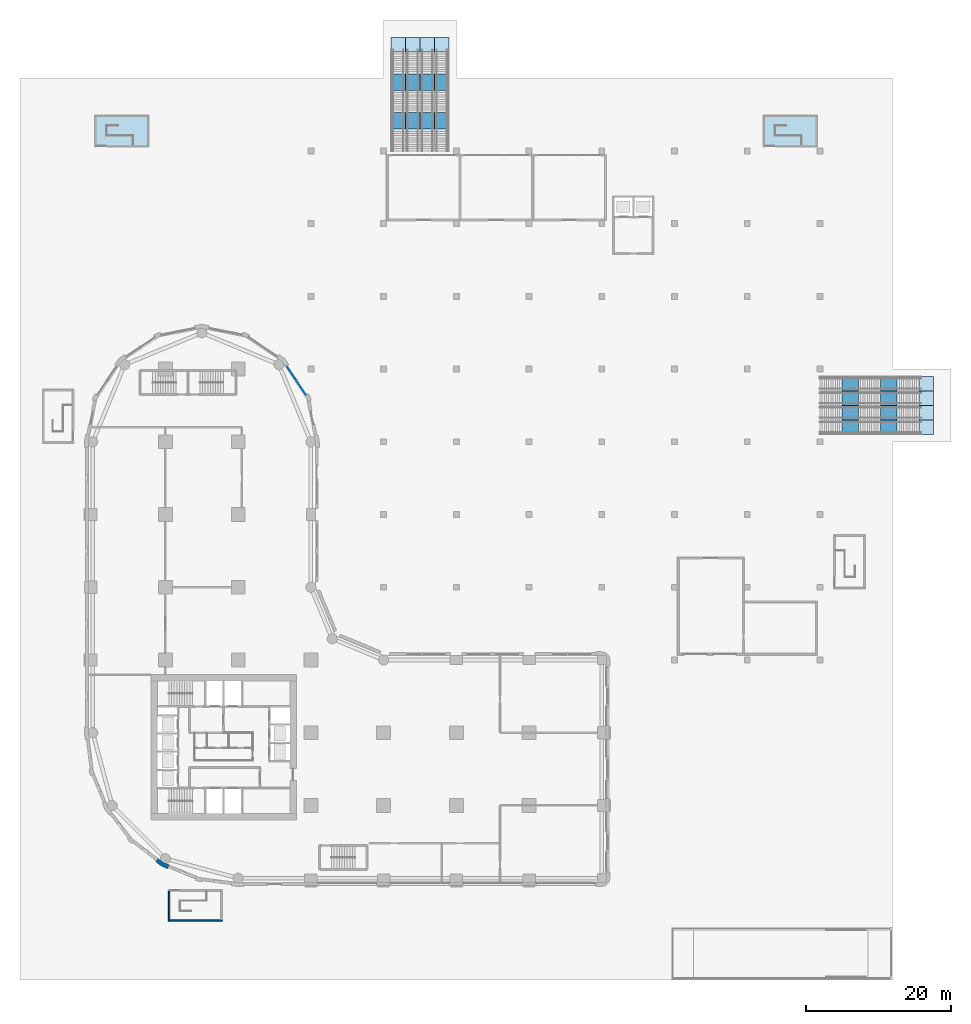
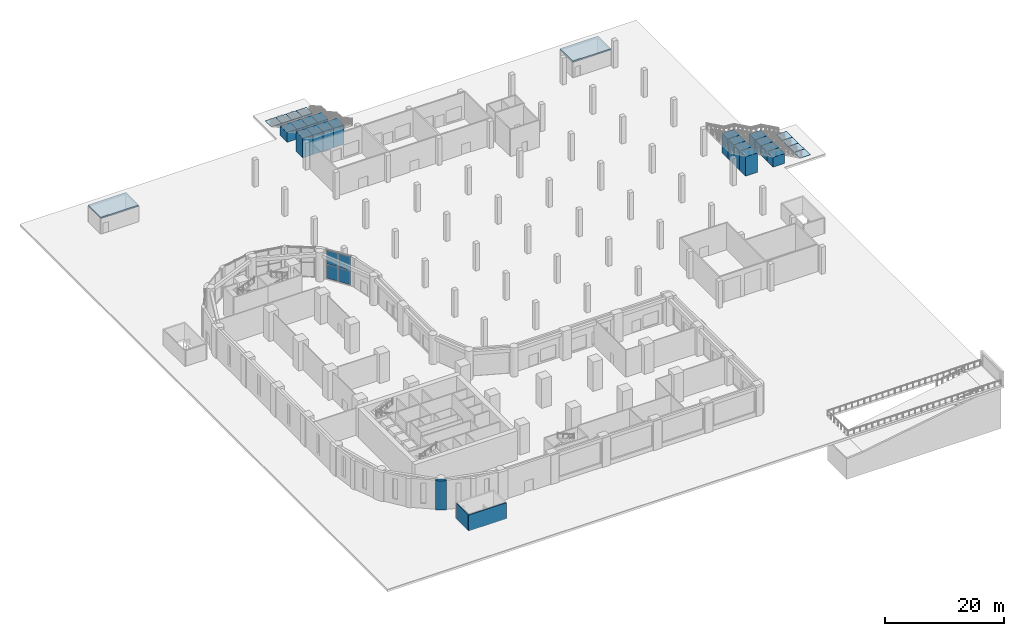
# One storey, part 6 of 21: 26 slabs, 4 plates, 3 walls, 9 elements without a shape of their own.
"""IFC4 building model written with IfcOpenShell, lengths in metres."""

from ifc_helpers import new_model, si_unit, direction, frame, frame_2d, origin, origin_2d, place, context, subcontext, project, spatial, polyline, rectangle, outline, extrude, material, layer, layer_set, type_object, element, aggregate, save


model = new_model("IFC4")

# Units and contexts
model_context = context("Model", 3, precision=1e-05, world=origin(), true_north=direction((0.0, 1.0)))
body_context = subcontext(model_context, "Body", "Model", "MODEL_VIEW")
ifc_project = project(units=[si_unit("LENGTHUNIT", "METRE"), si_unit("AREAUNIT", "SQUARE_METRE"), si_unit("VOLUMEUNIT", "CUBIC_METRE"), si_unit("PLANEANGLEUNIT", "RADIAN"), si_unit("MASSUNIT", "GRAM", prefix="KILO")], contexts=[model_context])

# Site, building, storey
site_placement = place(None, origin())
site = spatial("IfcSite", under=ifc_project, at=site_placement, CompositionType="ELEMENT")
building_placement = place(site_placement, origin())
building = spatial("IfcBuilding", under=site, at=building_placement, Name="Qaws Garden Tower", CompositionType="ELEMENT")
storey_placement = place(building_placement, origin())
storey = spatial("IfcBuildingStorey", under=building, at=storey_placement, Name="L00", CompositionType="ELEMENT", Elevation=0.0)

# Curtain wall, plates
ifc_material_1 = material(Name="Anodised aluminium curtain wall frame", Category="aluminium")
ifc_layer_1 = layer(ifc_material_1, 0.159912109375)
ifc_layer_set_1 = layer_set([ifc_layer_1], Name="Anodised aluminium curtain wall frame")
curtain_wall_type = type_object("IfcCurtainWallType", Name="CW1 street shopfront curtain wall", PredefinedType="NOTDEFINED", material=ifc_layer_set_1)
placement_1 = place(storey_placement, origin())
curtain_wall = element("IfcCurtainWall", 1, at=placement_1, inside=storey, type_object=curtain_wall_type, Name="CW1 Street shopfront 16", PredefinedType="NOTDEFINED")
ifc_material_2 = material(Name="Clear laminated glass", Category="glass")
ifc_layer_2 = layer(ifc_material_2, 0.031982421875)
ifc_layer_set_2 = layer_set([ifc_layer_2], Name="Clear laminated glass")
plate_type = type_object("IfcPlateType", Name="CW1 glass panel 32", PredefinedType="CURTAIN_PANEL", material=ifc_layer_set_2)
plate_1_placement = place(storey_placement, frame((28.688232421875, 67.4345703125, 0.1201171875), z_axis=(0.0, 0.0, 1.0), x_axis=(-0.555570233165, 0.831469612206, 0.0)))
plate_1 = element("IfcPlate", 2, at=plate_1_placement, type_object=plate_type, Name="CW1 panel 1.1", PredefinedType="CURTAIN_PANEL", context=body_context, shape_type="SweptSolid", body=[
    extrude(rectangle(XDim=2.286376953125, YDim=0.031982421875, at=origin_2d()), origin(), (0.0, 0.0, 1.0), 2.820068359375),
])
plate_2_placement = place(storey_placement, frame((28.688232421875, 67.4345703125, 3.06005859375), z_axis=(0.0, 0.0, 1.0), x_axis=(-0.555570233165, 0.831469612206, 0.0)))
plate_2 = element("IfcPlate", 3, at=plate_2_placement, type_object=plate_type, Name="CW1 panel 1.2", PredefinedType="CURTAIN_PANEL", context=body_context, shape_type="SweptSolid", body=[
    extrude(rectangle(XDim=2.286376953125, YDim=0.031982421875, at=origin_2d()), origin(), (0.0, 0.0, 1.0), 2.820068359375),
])
plate_3_placement = place(storey_placement, frame((27.384765625, 69.385498046875, 0.1201171875), z_axis=(0.0, 0.0, 1.0), x_axis=(-0.555570233165, 0.831469612206, 0.0)))
plate_3 = element("IfcPlate", 4, at=plate_3_placement, type_object=plate_type, Name="CW1 panel 2.1", PredefinedType="CURTAIN_PANEL", context=body_context, shape_type="SweptSolid", body=[
    extrude(rectangle(XDim=2.286376953125, YDim=0.031982421875, at=origin_2d()), origin(), (0.0, 0.0, 1.0), 2.820068359375),
])
plate_4_placement = place(storey_placement, frame((27.384765625, 69.385498046875, 3.06005859375), z_axis=(0.0, 0.0, 1.0), x_axis=(-0.555570233165, 0.831469612206, 0.0)))
plate_4 = element("IfcPlate", 5, at=plate_4_placement, type_object=plate_type, Name="CW1 panel 2.2", PredefinedType="CURTAIN_PANEL", context=body_context, shape_type="SweptSolid", body=[
    extrude(rectangle(XDim=2.286376953125, YDim=0.031982421875, at=origin_2d()), origin(), (0.0, 0.0, 1.0), 2.820068359375),
])
aggregate(curtain_wall, [plate_1, plate_2, plate_3, plate_4])

# Slabs
ifc_material_3 = material(Name="Concrete C40", Category="concrete")
ifc_layer_3 = layer(ifc_material_3, 0.25)
ifc_layer_set_3 = layer_set([ifc_layer_3], Name="Concrete C40")
slab_type_1 = type_object("IfcSlabType", Name="Pavilion roof 250", PredefinedType="ROOF", material=ifc_layer_set_3)
placement_2 = place(storey_placement, frame((0.0, 0.0, 3.199951171875)))
element("IfcSlab", 6, at=placement_2, inside=storey, type_object=slab_type_1, Name="Stair N1 headhouse roof", PredefinedType="ROOF", context=body_context, shape_type="SweptSolid", body=[
    extrude(outline(polyline([(0.300048828125, 100.60009765625), (7.699951171875, 100.60009765625), (7.699951171875, 104.89990234375), (0.300048828125, 104.89990234375), (0.300048828125, 100.60009765625)])), origin(), (0.0, 0.0, 1.0), 0.25),
])
element("IfcSlab", 7, at=placement_2, inside=storey, type_object=slab_type_1, Name="Stair N2 headhouse roof", PredefinedType="ROOF", context=body_context, shape_type="SweptSolid", body=[
    extrude(outline(polyline([(92.199951171875, 100.60009765625), (99.60009765625, 100.60009765625), (99.60009765625, 104.89990234375), (92.199951171875, 104.89990234375), (92.199951171875, 100.60009765625)])), origin(), (0.0, 0.0, 1.0), 0.25),
])

# Stair, slab
ifc_material_4 = material(Name="Concrete C40", Category="concrete")
stair_type = type_object("IfcStairType", Name="Garden stair 2000", PredefinedType="STRAIGHT_RUN_STAIR", material=ifc_material_4)
stair_1 = element("IfcStair", 8, at=placement_1, inside=storey, type_object=stair_type, Name="Street stair n1", PredefinedType="STRAIGHT_RUN_STAIR")
ifc_material_5 = material(Name="Concrete C40", Category="concrete")
ifc_layer_4 = layer(ifc_material_5, 0.10009765625)
ifc_layer_set_4 = layer_set([ifc_layer_4], Name="Concrete C40")
slab_type_2 = type_object("IfcSlabType", Name="Stair foot slab 100", PredefinedType="LANDING", material=ifc_layer_set_4)
placement_3 = place(storey_placement, frame((0.0, 0.0, -0.10009765625)))
slab_3 = element("IfcSlab", 9, at=placement_3, type_object=slab_type_2, Name="Street stair foot slab n1", PredefinedType="LANDING", context=body_context, shape_type="SweptSolid", body=[
    extrude(outline(polyline([(49.0, 113.60009765625), (49.0, 115.60009765625), (47.0, 115.60009765625), (47.0, 113.60009765625), (49.0, 113.60009765625)])), origin(), (0.0, 0.0, 1.0), 0.10009765625),
])

stair_2 = element("IfcStair", 10, at=placement_1, inside=storey, type_object=stair_type, Name="Street stair n2", PredefinedType="STRAIGHT_RUN_STAIR")
slab_4 = element("IfcSlab", 11, at=placement_3, type_object=slab_type_2, Name="Street stair foot slab n2", PredefinedType="LANDING", context=body_context, shape_type="SweptSolid", body=[
    extrude(outline(polyline([(47.0, 113.60009765625), (47.0, 115.60009765625), (45.0, 115.60009765625), (45.0, 113.60009765625), (47.0, 113.60009765625)])), origin(), (0.0, 0.0, 1.0), 0.10009765625),
])

stair_3 = element("IfcStair", 12, at=placement_1, inside=storey, type_object=stair_type, Name="Street stair n3", PredefinedType="STRAIGHT_RUN_STAIR")
slab_5 = element("IfcSlab", 13, at=placement_3, type_object=slab_type_2, Name="Street stair foot slab n3", PredefinedType="LANDING", context=body_context, shape_type="SweptSolid", body=[
    extrude(outline(polyline([(45.0, 113.60009765625), (45.0, 115.60009765625), (43.0, 115.60009765625), (43.0, 113.60009765625), (45.0, 113.60009765625)])), origin(), (0.0, 0.0, 1.0), 0.10009765625),
])

stair_4 = element("IfcStair", 14, at=placement_1, inside=storey, type_object=stair_type, Name="Street stair n4", PredefinedType="STRAIGHT_RUN_STAIR")
slab_6 = element("IfcSlab", 15, at=placement_3, type_object=slab_type_2, Name="Street stair foot slab n4", PredefinedType="LANDING", context=body_context, shape_type="SweptSolid", body=[
    extrude(outline(polyline([(43.0, 113.60009765625), (43.0, 115.60009765625), (41.0, 115.60009765625), (41.0, 113.60009765625), (43.0, 113.60009765625)])), origin(), (0.0, 0.0, 1.0), 0.10009765625),
])

stair_5 = element("IfcStair", 16, at=placement_1, inside=storey, type_object=stair_type, Name="Street stair e1", PredefinedType="STRAIGHT_RUN_STAIR")
slab_7 = element("IfcSlab", 17, at=placement_3, type_object=slab_type_2, Name="Street stair foot slab e1", PredefinedType="LANDING", context=body_context, shape_type="SweptSolid", body=[
    extrude(outline(polyline([(113.60009765625, 61.0), (115.60009765625, 61.0), (115.60009765625, 63.0), (113.60009765625, 63.0), (113.60009765625, 61.0)])), origin(), (0.0, 0.0, 1.0), 0.10009765625),
])

stair_6 = element("IfcStair", 18, at=placement_1, inside=storey, type_object=stair_type, Name="Street stair e2", PredefinedType="STRAIGHT_RUN_STAIR")
slab_8 = element("IfcSlab", 19, at=placement_3, type_object=slab_type_2, Name="Street stair foot slab e2", PredefinedType="LANDING", context=body_context, shape_type="SweptSolid", body=[
    extrude(outline(polyline([(113.60009765625, 63.0), (115.60009765625, 63.0), (115.60009765625, 65.0), (113.60009765625, 65.0), (113.60009765625, 63.0)])), origin(), (0.0, 0.0, 1.0), 0.10009765625),
])

stair_7 = element("IfcStair", 20, at=placement_1, inside=storey, type_object=stair_type, Name="Street stair e3", PredefinedType="STRAIGHT_RUN_STAIR")
slab_9 = element("IfcSlab", 21, at=placement_3, type_object=slab_type_2, Name="Street stair foot slab e3", PredefinedType="LANDING", context=body_context, shape_type="SweptSolid", body=[
    extrude(outline(polyline([(113.60009765625, 65.0), (115.60009765625, 65.0), (115.60009765625, 67.0), (113.60009765625, 67.0), (113.60009765625, 65.0)])), origin(), (0.0, 0.0, 1.0), 0.10009765625),
])

stair_8 = element("IfcStair", 22, at=placement_1, inside=storey, type_object=stair_type, Name="Street stair e4", PredefinedType="STRAIGHT_RUN_STAIR")
slab_10 = element("IfcSlab", 23, at=placement_3, type_object=slab_type_2, Name="Street stair foot slab e4", PredefinedType="LANDING", context=body_context, shape_type="SweptSolid", body=[
    extrude(outline(polyline([(113.60009765625, 67.0), (115.60009765625, 67.0), (115.60009765625, 69.0), (113.60009765625, 69.0), (113.60009765625, 67.0)])), origin(), (0.0, 0.0, 1.0), 0.10009765625),
])

# Slab
ifc_material_6 = material(Name="Concrete C40", Category="concrete")
ifc_layer_5 = layer(ifc_material_6, 0.25)
ifc_layer_set_5 = layer_set([ifc_layer_5], Name="Concrete C40")
slab_type_3 = type_object("IfcSlabType", Name="Stair landing 250", PredefinedType="LANDING", material=ifc_layer_set_5)
slab_11 = element("IfcSlab", 24, at=placement_1, type_object=slab_type_3, Name="Street stair landing 1", PredefinedType="LANDING", context=body_context, shape_type="SweptSolid", body=[
    extrude(outline(polyline([(49.0, 103.0), (49.0, 105.300048828125), (47.0, 105.300048828125), (47.0, 103.0), (49.0, 103.0)])), origin(), (0.0, 0.0, 1.0), 4.0),
])

slab_12 = element("IfcSlab", 25, at=placement_1, type_object=slab_type_3, Name="Street stair landing 2", PredefinedType="LANDING", context=body_context, shape_type="SweptSolid", body=[
    extrude(outline(polyline([(49.0, 108.300048828125), (49.0, 110.60009765625), (47.0, 110.60009765625), (47.0, 108.300048828125), (49.0, 108.300048828125)])), origin(), (0.0, 0.0, 1.0), 2.0),
])

aggregate(stair_1, [slab_11, slab_12, slab_3])

slab_13 = element("IfcSlab", 26, at=placement_1, type_object=slab_type_3, Name="Street stair landing 1", PredefinedType="LANDING", context=body_context, shape_type="SweptSolid", body=[
    extrude(outline(polyline([(47.0, 103.0), (47.0, 105.300048828125), (45.0, 105.300048828125), (45.0, 103.0), (47.0, 103.0)])), origin(), (0.0, 0.0, 1.0), 4.0),
])

slab_14 = element("IfcSlab", 27, at=placement_1, type_object=slab_type_3, Name="Street stair landing 2", PredefinedType="LANDING", context=body_context, shape_type="SweptSolid", body=[
    extrude(outline(polyline([(47.0, 108.300048828125), (47.0, 110.60009765625), (45.0, 110.60009765625), (45.0, 108.300048828125), (47.0, 108.300048828125)])), origin(), (0.0, 0.0, 1.0), 2.0),
])

aggregate(stair_2, [slab_13, slab_14, slab_4])

slab_15 = element("IfcSlab", 28, at=placement_1, type_object=slab_type_3, Name="Street stair landing 1", PredefinedType="LANDING", context=body_context, shape_type="SweptSolid", body=[
    extrude(outline(polyline([(45.0, 103.0), (45.0, 105.300048828125), (43.0, 105.300048828125), (43.0, 103.0), (45.0, 103.0)])), origin(), (0.0, 0.0, 1.0), 4.0),
])

slab_16 = element("IfcSlab", 29, at=placement_1, type_object=slab_type_3, Name="Street stair landing 2", PredefinedType="LANDING", context=body_context, shape_type="SweptSolid", body=[
    extrude(outline(polyline([(45.0, 108.300048828125), (45.0, 110.60009765625), (43.0, 110.60009765625), (43.0, 108.300048828125), (45.0, 108.300048828125)])), origin(), (0.0, 0.0, 1.0), 2.0),
])

aggregate(stair_3, [slab_15, slab_16, slab_5])

slab_17 = element("IfcSlab", 30, at=placement_1, type_object=slab_type_3, Name="Street stair landing 1", PredefinedType="LANDING", context=body_context, shape_type="SweptSolid", body=[
    extrude(outline(polyline([(43.0, 103.0), (43.0, 105.300048828125), (41.0, 105.300048828125), (41.0, 103.0), (43.0, 103.0)])), origin(), (0.0, 0.0, 1.0), 4.0),
])

slab_18 = element("IfcSlab", 31, at=placement_1, type_object=slab_type_3, Name="Street stair landing 2", PredefinedType="LANDING", context=body_context, shape_type="SweptSolid", body=[
    extrude(outline(polyline([(43.0, 108.300048828125), (43.0, 110.60009765625), (41.0, 110.60009765625), (41.0, 108.300048828125), (43.0, 108.300048828125)])), origin(), (0.0, 0.0, 1.0), 2.0),
])

aggregate(stair_4, [slab_17, slab_18, slab_6])

slab_19 = element("IfcSlab", 32, at=placement_1, type_object=slab_type_3, Name="Street stair landing 1", PredefinedType="LANDING", context=body_context, shape_type="SweptSolid", body=[
    extrude(outline(polyline([(103.0, 61.0), (105.300048828125, 61.0), (105.300048828125, 63.0), (103.0, 63.0), (103.0, 61.0)])), origin(), (0.0, 0.0, 1.0), 4.0),
])

slab_20 = element("IfcSlab", 33, at=placement_1, type_object=slab_type_3, Name="Street stair landing 2", PredefinedType="LANDING", context=body_context, shape_type="SweptSolid", body=[
    extrude(outline(polyline([(108.300048828125, 61.0), (110.60009765625, 61.0), (110.60009765625, 63.0), (108.300048828125, 63.0), (108.300048828125, 61.0)])), origin(), (0.0, 0.0, 1.0), 2.0),
])

aggregate(stair_5, [slab_19, slab_20, slab_7])

slab_21 = element("IfcSlab", 34, at=placement_1, type_object=slab_type_3, Name="Street stair landing 1", PredefinedType="LANDING", context=body_context, shape_type="SweptSolid", body=[
    extrude(outline(polyline([(103.0, 63.0), (105.300048828125, 63.0), (105.300048828125, 65.0), (103.0, 65.0), (103.0, 63.0)])), origin(), (0.0, 0.0, 1.0), 4.0),
])

slab_22 = element("IfcSlab", 35, at=placement_1, type_object=slab_type_3, Name="Street stair landing 2", PredefinedType="LANDING", context=body_context, shape_type="SweptSolid", body=[
    extrude(outline(polyline([(108.300048828125, 63.0), (110.60009765625, 63.0), (110.60009765625, 65.0), (108.300048828125, 65.0), (108.300048828125, 63.0)])), origin(), (0.0, 0.0, 1.0), 2.0),
])

aggregate(stair_6, [slab_21, slab_22, slab_8])

slab_23 = element("IfcSlab", 36, at=placement_1, type_object=slab_type_3, Name="Street stair landing 1", PredefinedType="LANDING", context=body_context, shape_type="SweptSolid", body=[
    extrude(outline(polyline([(103.0, 65.0), (105.300048828125, 65.0), (105.300048828125, 67.0), (103.0, 67.0), (103.0, 65.0)])), origin(), (0.0, 0.0, 1.0), 4.0),
])

slab_24 = element("IfcSlab", 37, at=placement_1, type_object=slab_type_3, Name="Street stair landing 2", PredefinedType="LANDING", context=body_context, shape_type="SweptSolid", body=[
    extrude(outline(polyline([(108.300048828125, 65.0), (110.60009765625, 65.0), (110.60009765625, 67.0), (108.300048828125, 67.0), (108.300048828125, 65.0)])), origin(), (0.0, 0.0, 1.0), 2.0),
])

aggregate(stair_7, [slab_23, slab_24, slab_9])

slab_25 = element("IfcSlab", 38, at=placement_1, type_object=slab_type_3, Name="Street stair landing 1", PredefinedType="LANDING", context=body_context, shape_type="SweptSolid", body=[
    extrude(outline(polyline([(103.0, 67.0), (105.300048828125, 67.0), (105.300048828125, 69.0), (103.0, 69.0), (103.0, 67.0)])), origin(), (0.0, 0.0, 1.0), 4.0),
])

slab_26 = element("IfcSlab", 39, at=placement_1, type_object=slab_type_3, Name="Street stair landing 2", PredefinedType="LANDING", context=body_context, shape_type="SweptSolid", body=[
    extrude(outline(polyline([(108.300048828125, 67.0), (110.60009765625, 67.0), (110.60009765625, 69.0), (108.300048828125, 69.0), (108.300048828125, 67.0)])), origin(), (0.0, 0.0, 1.0), 2.0),
])

aggregate(stair_8, [slab_25, slab_26, slab_10])

# Walls
ifc_material_7 = material(Name="Concrete C40", Category="concrete")
ifc_layer_6 = layer(ifc_material_7, 0.199951171875)
ifc_layer_set_6 = layer_set([ifc_layer_6], Name="Concrete C40")
wall_type_1 = type_object("IfcWallType", Name="Stair enclosure wall 200", PredefinedType="SOLIDWALL", material=ifc_layer_set_6)
wall_1_placement = place(storey_placement, frame((10.39990234375, -5.800048828125, -0.10009765625), z_axis=(0.0, 0.0, 1.0), x_axis=(1.0, 0.0, 0.0)))
element("IfcWall", 40, at=wall_1_placement, inside=storey, type_object=wall_type_1, Name="Stair S1 enclosure wall", PredefinedType="SOLIDWALL", context=body_context, shape_type="SweptSolid", body=[
    extrude(rectangle(XDim=7.400146484375, YDim=0.199951171875, at=frame_2d((3.7001953125, 0.0))), origin(), (0.0, 0.0, 1.0), 3.300048828125),
])
wall_2_placement = place(storey_placement, frame((10.5, -1.800048828125, -0.10009765625), z_axis=(0.0, 0.0, 1.0), x_axis=(0.0, -1.0, 0.0)))
element("IfcWall", 41, at=wall_2_placement, inside=storey, type_object=wall_type_1, Name="Stair S1 enclosure wall", PredefinedType="SOLIDWALL", context=body_context, shape_type="SweptSolid", body=[
    extrude(rectangle(XDim=3.89990234375, YDim=0.199951171875, at=frame_2d((1.949951171875, 0.0))), origin(), (0.0, 0.0, 1.0), 3.300048828125),
])
ifc_material_8 = material(Name="Limestone ashlar masonry", Category="masonry")
ifc_layer_7 = layer(ifc_material_8, 0.550048828125)
ifc_layer_set_7 = layer_set([ifc_layer_7], Name="Limestone ashlar masonry")
wall_type_2 = type_object("IfcWallType", Name="Stone pier 550 x 1600", PredefinedType="SOLIDWALL", material=ifc_layer_set_7)
element("IfcWall", 42, at=placement_1, inside=storey, type_object=wall_type_2, Name="E-L00-pier-31", PredefinedType="SOLIDWALL", context=body_context, shape_type="SweptSolid", body=[
    extrude(outline(polyline([(8.756591796875, 2.373046875), (8.665283203125, 2.254150390625), (9.419921875, 1.675048828125), (10.299072265625, 1.310791015625), (10.3564453125, 1.449462890625), (10.509521484375, 1.819091796875), (9.697509765625, 2.1552734375), (9.0, 2.6904296875), (8.756591796875, 2.373046875)])), origin(), (0.0, 0.0, 1.0), 6.0),
])

save(model, "model.ifc")
